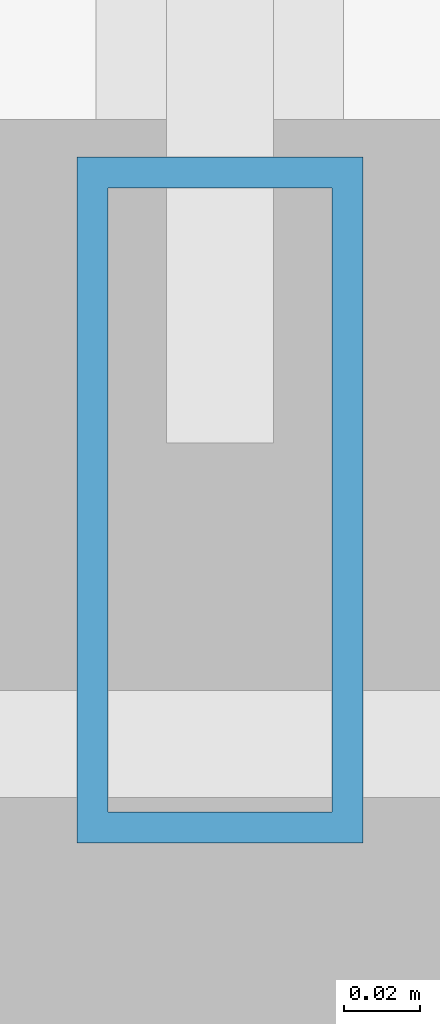
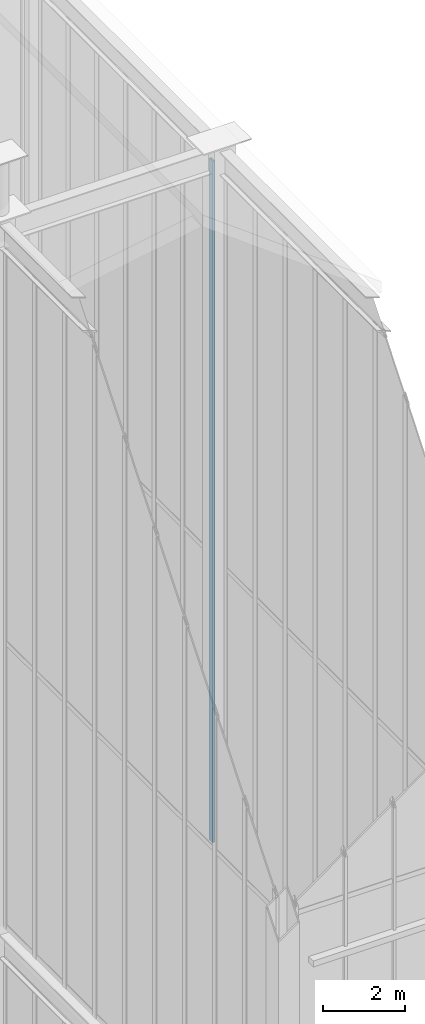
# One storey, part 86 of 135: 1 member, 1 element without a shape of its own.
"""IFC4 building model written with IfcOpenShell, lengths in metres."""

from ifc_helpers import new_model, si_unit, direction, frame, origin, origin_2d, place, context, subcontext, project, spatial, hollow_rectangle, extrude, source, transform, mapped, material, layer, layer_set, material_profile, profile_set, type_object, element, aggregate, save


model = new_model("IFC4")

# Units and contexts
model_context = context("Model", 3, precision=1e-05, world=origin(), true_north=direction((0.0, 1.0)))
body_context = subcontext(model_context, "Body", "Model", "MODEL_VIEW")
ifc_project = project(units=[si_unit("LENGTHUNIT", "METRE"), si_unit("AREAUNIT", "SQUARE_METRE"), si_unit("VOLUMEUNIT", "CUBIC_METRE"), si_unit("PLANEANGLEUNIT", "RADIAN"), si_unit("MASSUNIT", "GRAM", prefix="KILO")], contexts=[model_context])

# Site, building, storey
site_placement = place(None, origin())
site = spatial("IfcSite", under=ifc_project, at=site_placement, CompositionType="ELEMENT")
building_placement = place(site_placement, origin())
building = spatial("IfcBuilding", under=site, at=building_placement, Name="Giltprow Tower", CompositionType="ELEMENT")
storey_placement = place(building_placement, frame((0.0, 0.0, 352.699951171875)))
storey = spatial("IfcBuildingStorey", under=building, at=storey_placement, Name="L92", CompositionType="ELEMENT", Elevation=352.699951171875)

# Curtain wall, member
ifc_material = material(Name="Anodized bronze", Category="metal")
ifc_layer = layer(ifc_material, 0.179931640625, Name="Anodized bronze")
ifc_layer_set = layer_set([ifc_layer], Name="Anodized bronze")
curtain_wall_type = type_object("IfcCurtainWallType", Name="CW-CROWN-LANTERN", PredefinedType="NOTDEFINED", material=ifc_layer_set)
curtain_wall_placement = place(storey_placement, origin())
curtain_wall = element("IfcCurtainWall", 1, at=curtain_wall_placement, inside=storey, type_object=curtain_wall_type, Name="Crown East Upper Lantern Glazing 3", PredefinedType="NOTDEFINED")
ifc_material_profile = material_profile(ifc_material, hollow_rectangle(XDim=0.074951171875, YDim=0.179931640625, WallThickness=0.008056640625, at=origin_2d()), Name="RHS 180x75x8")
ifc_profile_set = profile_set([ifc_material_profile], Name="Anodized bronze")
member_type = type_object("IfcMemberType", Name="CW-MULLION-180x75", PredefinedType="MULLION", material=ifc_profile_set)
shared_shape = source(origin(), body_context, "Body", "SweptSolid", [
    extrude(hollow_rectangle(XDim=0.074951171875, YDim=0.179931640625, WallThickness=0.008056640625, at=origin_2d()), origin(), (0.0, 0.0, 1.0), 20.406005859375),
])
member_placement = place(storey_placement, frame((50.550048828125, 37.800048828125, 17.25), z_axis=(0.0, 0.0, 1.0), x_axis=(1.0, 0.0, 0.0)))
member = element("IfcMember", 2, at=member_placement, type_object=member_type, Name="Crown East Upper Lantern Glazing 3 Mullion 1", PredefinedType="MULLION", context=body_context, shape_type="MappedRepresentation", body=[
    mapped(shared_shape, transform((0.0, 0.0, 0.0), x_axis=(1.0, 0.0, 0.0), y_axis=(0.0, 1.0, 0.0), z_axis=(0.0, 0.0, 1.0), scale=1.0)),
])
aggregate(curtain_wall, [member])

save(model, "model.ifc")
